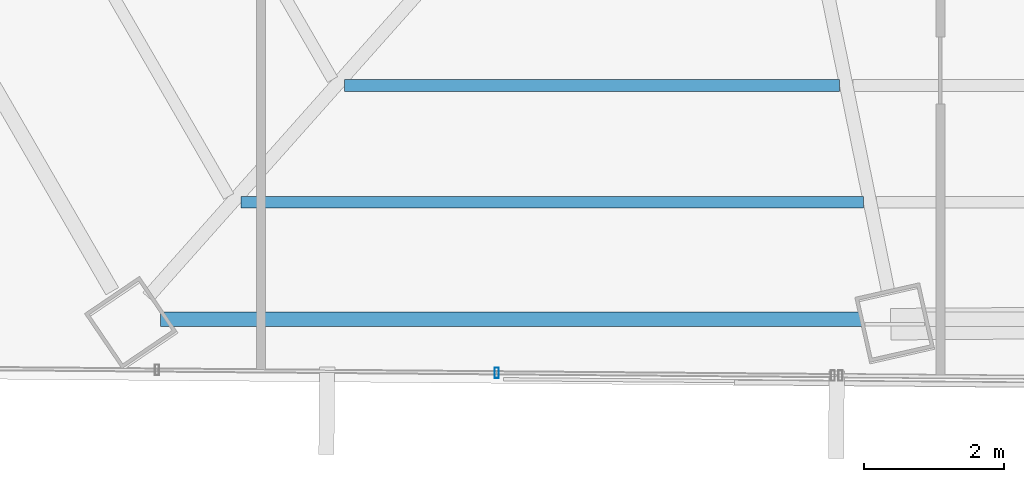
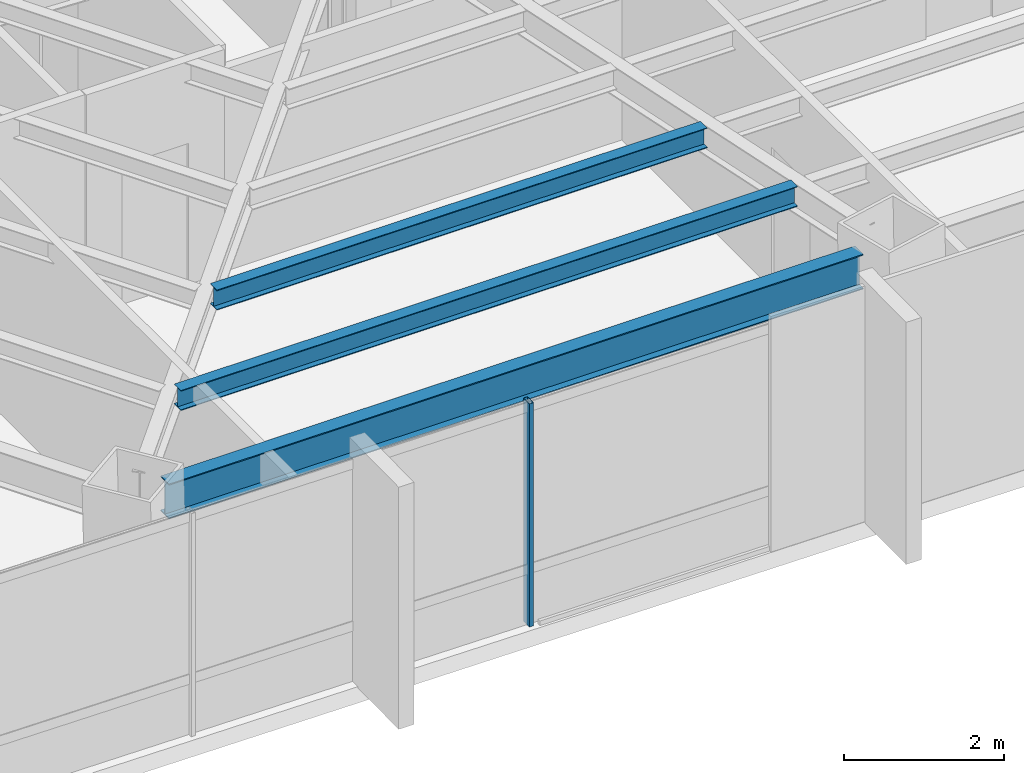
# One storey, part 4 of 38: 3 beams, 1 member, 1 element without a shape of its own.
"""IFC4 building model written with IfcOpenShell, lengths in metres."""

from ifc_helpers import new_model, si_unit, direction, frame, origin, origin_2d, place, context, subcontext, project, spatial, hollow_rectangle, i_section, extrude, source, transform, mapped, material, material_profile, profile_set, type_object, type_shapes, element, aggregate, save


model = new_model("IFC4")

# Units and contexts
model_context = context("Model", 3, precision=1e-05, world=origin(), true_north=direction((0.0, 1.0)))
body_context = subcontext(model_context, "Body", "Model", "MODEL_VIEW")
ifc_project = project(units=[si_unit("LENGTHUNIT", "METRE"), si_unit("AREAUNIT", "SQUARE_METRE"), si_unit("VOLUMEUNIT", "CUBIC_METRE"), si_unit("PLANEANGLEUNIT", "RADIAN"), si_unit("MASSUNIT", "GRAM", prefix="KILO")], contexts=[model_context])

# Site, building, storey
site_placement = place(None, origin())
site = spatial("IfcSite", under=ifc_project, at=site_placement, CompositionType="ELEMENT")
building_placement = place(site_placement, origin())
building = spatial("IfcBuilding", under=site, at=building_placement, Name="Caelisora Broadcast Tower", CompositionType="ELEMENT")
storey_placement = place(building_placement, frame((0.0, 0.0, 154.85009765625)))
storey = spatial("IfcBuildingStorey", under=building, at=storey_placement, Name="L40", CompositionType="ELEMENT", Elevation=154.85009765625)

# Beams
ifc_material_1 = material(Name="Steel Grade 350 (AS/NZS 3679.1)", Category="steel")
ifc_material_profile_1 = material_profile(ifc_material_1, i_section(OverallWidth=0.208984375, OverallDepth=0.532958984375, WebThickness=0.01025390625, FlangeThickness=0.015625, at=origin_2d()), Name="Steel Grade 350 (AS/NZS 3679.1)")
ifc_profile_set_1 = profile_set([ifc_material_profile_1], Name="Steel Grade 350 (AS/NZS 3679.1)")
beam_type_1 = type_object("IfcBeamType", Name="PG05", PredefinedType="BEAM", material=ifc_profile_set_1)
shared_shape_1 = source(origin(), body_context, "Body", "SweptSolid", [
    extrude(i_section(OverallWidth=0.208984375, OverallDepth=0.532958984375, WebThickness=0.01025390625, FlangeThickness=0.015625, at=origin_2d()), origin(), (0.0, 0.0, 1.0), 10.01025390625),
])
type_shapes(beam_type_1, [shared_shape_1])
beam_1_placement = place(storey_placement, frame((22.064697265625, 7.392822265625, 3.13330078125), z_axis=(1.0, 0.0, 0.0), x_axis=(0.0, 1.0, 0.0)))
element("IfcBeam", 1, at=beam_1_placement, inside=storey, type_object=beam_type_1, Name="L40 beam PG05", PredefinedType="BEAM", context=body_context, shape_type="MappedRepresentation", body=[
    mapped(shared_shape_1, transform((0.0, 0.0, 0.0), scale=1.0)),
])
ifc_material_profile_2 = material_profile(ifc_material_1, i_section(OverallWidth=0.166015625, OverallDepth=0.30712890625, WebThickness=0.006591796875, FlangeThickness=0.01171875, at=origin_2d()), Name="Steel Grade 350 (AS/NZS 3679.1)")
ifc_profile_set_2 = profile_set([ifc_material_profile_2], Name="Steel Grade 350 (AS/NZS 3679.1)")
beam_type_2 = type_object("IfcBeamType", Name="SB03", PredefinedType="JOIST", material=ifc_profile_set_2)
shared_shape_2 = source(origin(), body_context, "Body", "SweptSolid", [
    extrude(i_section(OverallWidth=0.166015625, OverallDepth=0.30712890625, WebThickness=0.006591796875, FlangeThickness=0.01171875, at=origin_2d()), origin(), (0.0, 0.0, 1.0), 7.067626953125),
])
beam_2_placement = place(storey_placement, frame((24.694580078125, 10.728515625, 3.246337890625), z_axis=(1.0, 0.0, 0.0), x_axis=(0.0, 1.0, 0.0)))
element("IfcBeam", 2, at=beam_2_placement, inside=storey, type_object=beam_type_2, Name="L40 beam SB03", PredefinedType="JOIST", context=body_context, shape_type="MappedRepresentation", body=[
    mapped(shared_shape_2, transform((0.0, 0.0, 0.0), scale=1.0)),
])
shared_shape_3 = source(origin(), body_context, "Body", "SweptSolid", [
    extrude(i_section(OverallWidth=0.166015625, OverallDepth=0.30712890625, WebThickness=0.006591796875, FlangeThickness=0.01171875, at=origin_2d()), origin(), (0.0, 0.0, 1.0), 8.88916015625),
])
type_shapes(beam_type_2, [shared_shape_2, shared_shape_3])
beam_3_placement = place(storey_placement, frame((23.212158203125, 9.060791015625, 3.246337890625), z_axis=(1.0, 0.0, 0.0), x_axis=(0.0, 1.0, 0.0)))
element("IfcBeam", 3, at=beam_3_placement, inside=storey, type_object=beam_type_2, Name="L40 beam SB03", PredefinedType="JOIST", context=body_context, shape_type="MappedRepresentation", body=[
    mapped(shared_shape_3, transform((0.0, 0.0, 0.0), scale=1.0)),
])

# Curtain wall, member
ifc_material_2 = material(Name="Unitised Aluminium and Low-E Glass Curtain Wall", Category="glass")
curtain_wall_type = type_object("IfcCurtainWallType", Name="CW-Z3", PredefinedType="NOTDEFINED", material=ifc_material_2)
curtain_wall_placement = place(storey_placement, origin())
curtain_wall = element("IfcCurtainWall", 4, at=curtain_wall_placement, inside=storey, type_object=curtain_wall_type, Name="L40 curtain wall CW-Z3", PredefinedType="NOTDEFINED")
ifc_material_3 = material(Name="Aluminium 6063-T6 Anodised Terracotta Bronze", Category="aluminium")
ifc_material_profile_3 = material_profile(ifc_material_3, hollow_rectangle(XDim=0.06005859375, YDim=0.14990234375, WallThickness=0.00341796875, at=origin_2d()), Name="Aluminium 6063-T6 Anodised Terracotta Bronze")
ifc_profile_set_3 = profile_set([ifc_material_profile_3], Name="Aluminium 6063-T6 Anodised Terracotta Bronze")
member_type = type_object("IfcMemberType", Name="CWM-03", PredefinedType="MULLION", material=ifc_profile_set_3)
shared_shape_4 = source(origin(), body_context, "Body", "SweptSolid", [
    extrude(hollow_rectangle(XDim=0.06005859375, YDim=0.14990234375, WallThickness=0.00341796875, at=origin_2d()), origin(), (0.0, 0.0, 1.0), 3.39990234375),
])
type_shapes(member_type, [shared_shape_4])
member_placement = place(storey_placement, frame((26.86474609375, 6.625732421875, 0.0), z_axis=(0.0, 0.0, 1.0), x_axis=(1.0, 0.0, 0.0)))
member = element("IfcMember", 5, at=member_placement, type_object=member_type, Name="L40-CW-B07 mullion #1", PredefinedType="MULLION", context=body_context, shape_type="MappedRepresentation", body=[
    mapped(shared_shape_4, transform((0.0, 0.0, 0.0), scale=1.0)),
])
aggregate(curtain_wall, [member])

save(model, "model.ifc")
